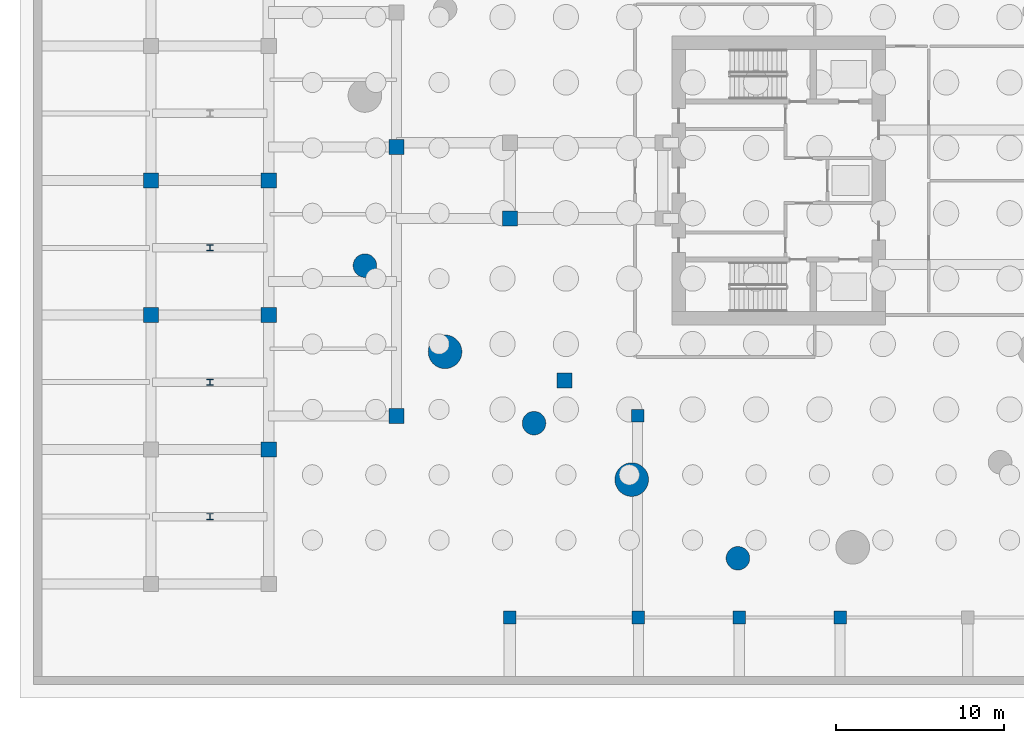
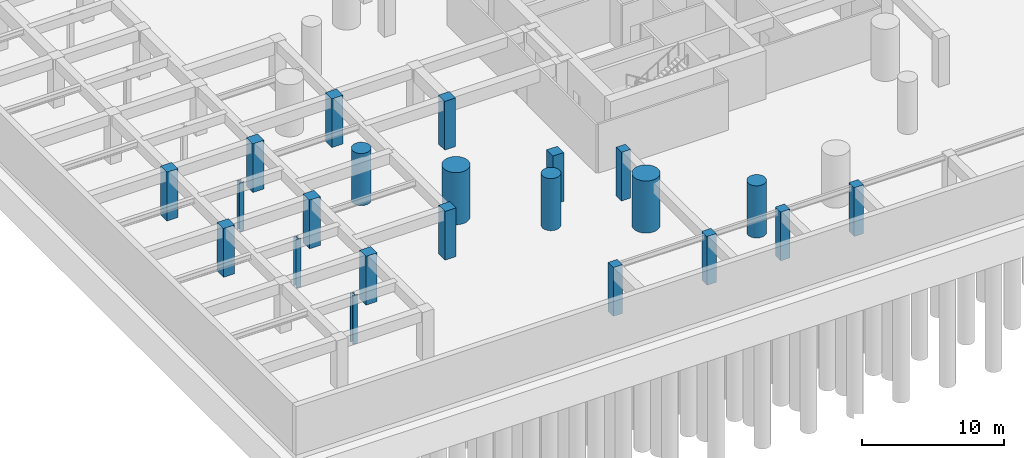
# One storey, part 2 of 11: 22 columns.
"""IFC4 building model written with IfcOpenShell, lengths in metres."""

from ifc_helpers import new_model, si_unit, direction, frame, origin, origin_2d, place, context, subcontext, project, spatial, rectangle, circle, i_section, extrude, source, transform, mapped, material, material_profile, profile_set, type_object, element, save


model = new_model("IFC4")

# Units and contexts
model_context = context("Model", 3, precision=1e-05, world=origin(), true_north=direction((0.0, 1.0)))
body_context = subcontext(model_context, "Body", "Model", "MODEL_VIEW")
ifc_project = project(units=[si_unit("LENGTHUNIT", "METRE"), si_unit("AREAUNIT", "SQUARE_METRE"), si_unit("VOLUMEUNIT", "CUBIC_METRE"), si_unit("PLANEANGLEUNIT", "RADIAN"), si_unit("MASSUNIT", "GRAM", prefix="KILO")], contexts=[model_context])

# Site, building, storey
site_placement = place(None, origin())
site = spatial("IfcSite", under=ifc_project, at=site_placement, CompositionType="ELEMENT")
building_placement = place(site_placement, origin())
building = spatial("IfcBuilding", under=site, at=building_placement, Name="Qafzar Sky-Pleat Residences", CompositionType="ELEMENT")
storey_placement = place(building_placement, frame((0.0, 0.0, -8.699951171875)))
storey = spatial("IfcBuildingStorey", under=building, at=storey_placement, Name="B02", CompositionType="ELEMENT", Elevation=-8.699951171875)

# Columns
ifc_material_1 = material(Name="Concrete C60/75", Category="concrete")
ifc_material_profile_1 = material_profile(ifc_material_1, circle(Radius=1.0, at=origin_2d()), Name="RC D2000")
ifc_profile_set_1 = profile_set([ifc_material_profile_1], Name="Concrete C60/75")
column_type_1 = type_object("IfcColumnType", Name="COL-STILT-D2000", PredefinedType="COLUMN", material=ifc_profile_set_1)
shared_shape_1 = source(origin(), body_context, "Body", "SweptSolid", [
    extrude(circle(Radius=1.0, at=origin_2d()), origin(), (0.0, 0.0, 1.0), 4.494873046875),
])
for number, where, z_axis, x_axis, name in (
    (1, (10.493408203125, 15.809814453125, 0.0), (0.0, 0.0, 1.0), (1.0, 0.0, 0.0), "B02 Mega-Column STILT-02"),
    (2, (21.602783203125, 8.20458984375, 0.0), (0.0, 0.0, 1.0), (1.0, 0.0, 0.0), "B02 Mega-Column STILT-03"),
):
    element("IfcColumn", number, at=place(storey_placement, frame(where, z_axis=z_axis, x_axis=x_axis)), inside=storey, type_object=column_type_1, Name=name, PredefinedType="COLUMN", context=body_context, shape_type="MappedRepresentation", body=[
        mapped(shared_shape_1, transform((0.0, 0.0, 0.0), x_axis=(1.0, 0.0, 0.0), y_axis=(0.0, 1.0, 0.0), z_axis=(0.0, 0.0, 1.0), scale=1.0)),
    ])
ifc_material_profile_2 = material_profile(ifc_material_1, circle(Radius=0.699951171875, at=origin_2d()), Name="RC D1400")
ifc_profile_set_2 = profile_set([ifc_material_profile_2], Name="Concrete C60/75")
column_type_2 = type_object("IfcColumnType", Name="COL-MEGA-D1400", PredefinedType="COLUMN", material=ifc_profile_set_2)
shared_shape_2 = source(origin(), body_context, "Body", "SweptSolid", [
    extrude(circle(Radius=0.699951171875, at=origin_2d()), origin(), (0.0, 0.0, 1.0), 4.494873046875),
])
for number, where, z_axis, x_axis, name in (
    (3, (5.724609375, 20.937255859375, 0.0), (0.0, 0.0, 1.0), (1.0, 0.0, 0.0), "B02 Branch Mega-Column STILT-BR-01"),
    (4, (15.787353515625, 11.56201171875, 0.0), (0.0, 0.0, 1.0), (1.0, 0.0, 0.0), "B02 Branch Mega-Column STILT-BR-02"),
    (5, (27.92041015625, 3.52392578125, 0.0), (0.0, 0.0, 1.0), (1.0, 0.0, 0.0), "B02 Branch Mega-Column STILT-BR-03"),
):
    element("IfcColumn", number, at=place(storey_placement, frame(where, z_axis=z_axis, x_axis=x_axis)), inside=storey, type_object=column_type_2, Name=name, PredefinedType="COLUMN", context=body_context, shape_type="MappedRepresentation", body=[
        mapped(shared_shape_2, transform((0.0, 0.0, 0.0), x_axis=(1.0, 0.0, 0.0), y_axis=(0.0, 1.0, 0.0), z_axis=(0.0, 0.0, 1.0), scale=1.0)),
    ])
ifc_material_2 = material(Name="Steel S355", Category="steel")
ifc_material_profile_3 = material_profile(ifc_material_2, i_section(OverallWidth=0.3740234375, OverallDepth=0.3720703125, WebThickness=0.01611328125, FlangeThickness=0.02587890625, FilletRadius=0.014892578125, at=origin_2d()), Name="HD 360x196")
ifc_profile_set_3 = profile_set([ifc_material_profile_3], Name="Steel S355")
column_type_3 = type_object("IfcColumnType", Name="COL-STL-HD196", PredefinedType="PILASTER", material=ifc_profile_set_3)
shared_shape_3 = source(origin(), body_context, "Body", "SweptSolid", [
    extrude(i_section(OverallWidth=0.3740234375, OverallDepth=0.3720703125, WebThickness=0.01611328125, FlangeThickness=0.02587890625, FilletRadius=0.014892578125, at=origin_2d()), origin(), (0.0, 0.0, 1.0), 4.199951171875),
])
for number, where, z_axis, x_axis, name in (
    (6, (-3.5, 6.0, 0.0), (0.0, 0.0, 1.0), (1.0, 0.0, 0.0), "B02 West Basement Steel Post 1"),
    (7, (-3.5, 14.0, 0.0), (0.0, 0.0, 1.0), (1.0, 0.0, 0.0), "B02 West Basement Steel Post 2"),
    (8, (-3.5, 22.0, 0.0), (0.0, 0.0, 1.0), (1.0, 0.0, 0.0), "B02 West Basement Steel Post 3"),
):
    element("IfcColumn", number, at=place(storey_placement, frame(where, z_axis=z_axis, x_axis=x_axis)), inside=storey, type_object=column_type_3, Name=name, PredefinedType="PILASTER", context=body_context, shape_type="MappedRepresentation", body=[
        mapped(shared_shape_3, transform((0.0, 0.0, 0.0), x_axis=(1.0, 0.0, 0.0), y_axis=(0.0, 1.0, 0.0), z_axis=(0.0, 0.0, 1.0), scale=1.0)),
    ])
ifc_material_profile_4 = material_profile(ifc_material_1, rectangle(XDim=0.89990234375, YDim=0.89990234375, at=origin_2d()), Name="RC 900x900")
ifc_profile_set_4 = profile_set([ifc_material_profile_4], Name="Concrete C60/75")
column_type_4 = type_object("IfcColumnType", Name="COL-RC-900", PredefinedType="COLUMN", material=ifc_profile_set_4)
shared_shape_4 = source(origin(), body_context, "Body", "SweptSolid", [
    extrude(rectangle(XDim=0.89990234375, YDim=0.89990234375, at=origin_2d()), origin(), (0.0, 0.0, 1.0), 4.199951171875),
])
for number, where, z_axis, x_axis, name in (
    (9, (-7.0, 18.0, 0.0), (0.0, 0.0, 1.0), (1.0, 0.0, 0.0), "B02 Substructure Column 3"),
    (10, (-7.0, 26.0, 0.0), (0.0, 0.0, 1.0), (1.0, 0.0, 0.0), "B02 Substructure Column 4"),
    (11, (0.0, 10.0, 0.0), (0.0, 0.0, 1.0), (1.0, 0.0, 0.0), "B02 Substructure Column 9"),
    (12, (0.0, 18.0, 0.0), (0.0, 0.0, 1.0), (1.0, 0.0, 0.0), "B02 Substructure Column 10"),
    (13, (0.0, 26.0, 0.0), (0.0, 0.0, 1.0), (1.0, 0.0, 0.0), "B02 Substructure Column 11"),
    (14, (7.60009765625, 12.0, 0.0), (0.0, 0.0, 1.0), (1.0, 0.0, 0.0), "B02 Substructure Column 15"),
    (15, (7.60009765625, 28.0, 0.0), (0.0, 0.0, 1.0), (1.0, 0.0, 0.0), "B02 Substructure Column 16"),
    (16, (14.35009765625, 23.75, 0.0), (0.0, 0.0, 1.0), (1.0, 0.0, 0.0), "B02 Substructure Column 21"),
    (17, (17.60009765625, 14.10009765625, 0.0), (0.0, 0.0, 1.0), (1.0, 0.0, 0.0), "B02 Substructure Column 25"),
):
    element("IfcColumn", number, at=place(storey_placement, frame(where, z_axis=z_axis, x_axis=x_axis)), inside=storey, type_object=column_type_4, Name=name, PredefinedType="COLUMN", context=body_context, shape_type="MappedRepresentation", body=[
        mapped(shared_shape_4, transform((0.0, 0.0, 0.0), x_axis=(1.0, 0.0, 0.0), y_axis=(0.0, 1.0, 0.0), z_axis=(0.0, 0.0, 1.0), scale=1.0)),
    ])
ifc_material_profile_5 = material_profile(ifc_material_1, rectangle(XDim=0.75, YDim=0.75, at=origin_2d()), Name="RC 750x750")
ifc_profile_set_5 = profile_set([ifc_material_profile_5], Name="Concrete C60/75")
column_type_5 = type_object("IfcColumnType", Name="COL-RC-750", PredefinedType="COLUMN", material=ifc_profile_set_5)
shared_shape_5 = source(origin(), body_context, "Body", "SweptSolid", [
    extrude(rectangle(XDim=0.75, YDim=0.75, at=origin_2d()), origin(), (0.0, 0.0, 1.0), 4.199951171875),
])
for number, where, z_axis, x_axis, name in (
    (18, (21.949951171875, 12.0, 0.0), (0.0, 0.0, 1.0), (1.0, 0.0, 0.0), "B02 Substructure Column 27"),
    (19, (14.35009765625, 0.0, 0.0), (0.0, 0.0, 1.0), (1.0, 0.0, 0.0), "B02 Substructure Column 29"),
    (20, (22.0, 0.0, 0.0), (0.0, 0.0, 1.0), (1.0, 0.0, 0.0), "B02 Substructure Column 30"),
    (21, (28.0, 0.0, 0.0), (0.0, 0.0, 1.0), (1.0, 0.0, 0.0), "B02 Substructure Column 31"),
    (22, (34.0, 0.0, 0.0), (0.0, 0.0, 1.0), (1.0, 0.0, 0.0), "B02 Substructure Column 32"),
):
    element("IfcColumn", number, at=place(storey_placement, frame(where, z_axis=z_axis, x_axis=x_axis)), inside=storey, type_object=column_type_5, Name=name, PredefinedType="COLUMN", context=body_context, shape_type="MappedRepresentation", body=[
        mapped(shared_shape_5, transform((0.0, 0.0, 0.0), x_axis=(1.0, 0.0, 0.0), y_axis=(0.0, 1.0, 0.0), z_axis=(0.0, 0.0, 1.0), scale=1.0)),
    ])

save(model, "model.ifc")
